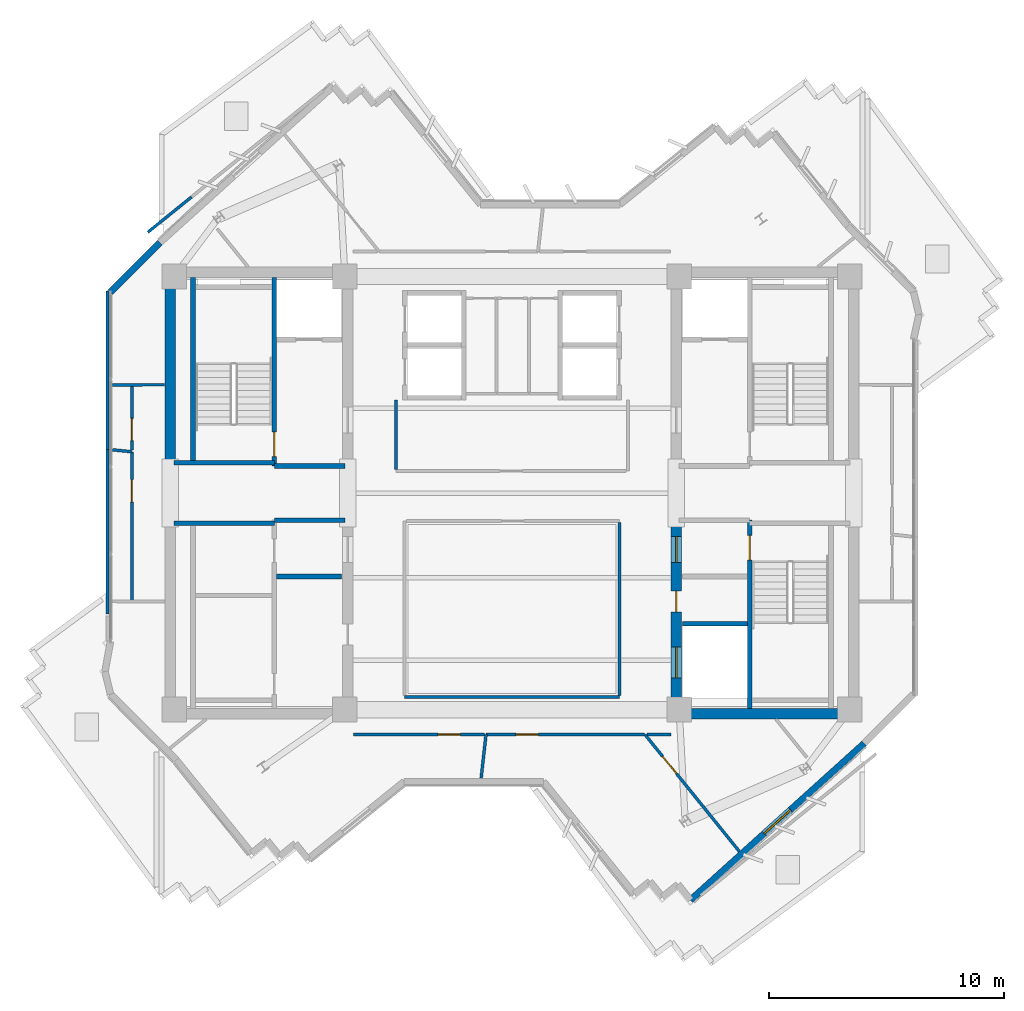
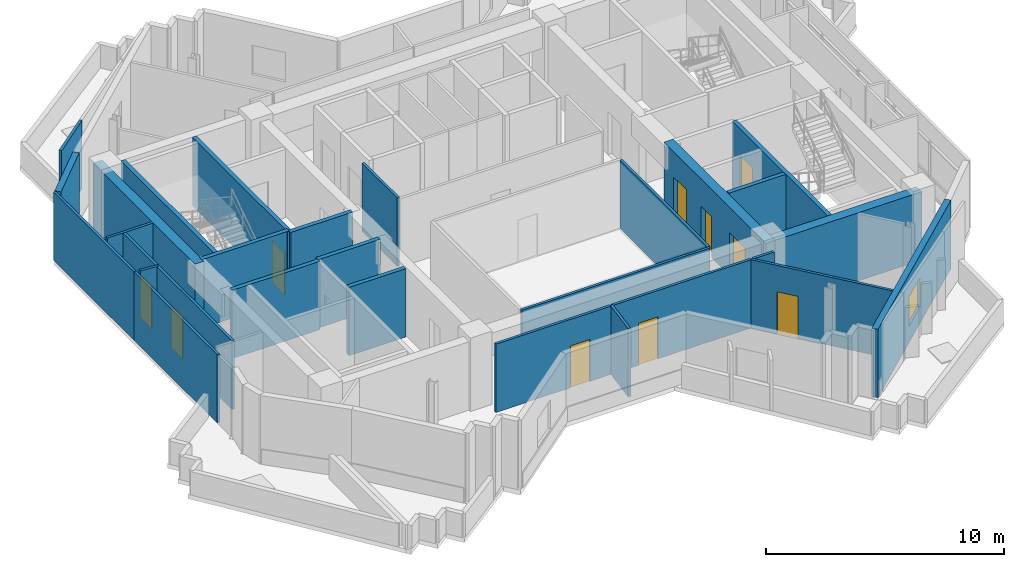
# One storey, part 7 of 12: 29 walls, 10 doors, 1 window, 11 openings.
"""IFC4 building model written with IfcOpenShell, lengths in metres."""

from ifc_helpers import new_model, si_unit, direction, frame, frame_2d, origin, place, context, subcontext, project, spatial, rectangle, extrude, source, transform, mapped, material, layer, layer_set, type_object, element, fill, save


model = new_model("IFC4")

# Units and contexts
model_context = context("Model", 3, precision=1e-05, world=origin(), true_north=direction((0.0, 1.0)))
body_context = subcontext(model_context, "Body", "Model", "MODEL_VIEW")
ifc_project = project(units=[si_unit("LENGTHUNIT", "METRE"), si_unit("AREAUNIT", "SQUARE_METRE"), si_unit("VOLUMEUNIT", "CUBIC_METRE"), si_unit("PLANEANGLEUNIT", "RADIAN"), si_unit("MASSUNIT", "GRAM", prefix="KILO")], contexts=[model_context])

# Site, building, storey
site_placement = place(None, origin())
site = spatial("IfcSite", under=ifc_project, at=site_placement, CompositionType="ELEMENT")
building_placement = place(site_placement, origin())
building = spatial("IfcBuilding", under=site, at=building_placement, Name="Zahravan Cultural Tower", CompositionType="ELEMENT")
storey_placement = place(building_placement, frame((0.0, 0.0, 280.35009765625)))
storey = spatial("IfcBuildingStorey", under=building, at=storey_placement, Name="L67", CompositionType="ELEMENT", Elevation=280.35009765625)

# Wall, openings, doors
ifc_material_1 = material(Name="Concrete C50/60", Category="concrete")
ifc_layer_1 = layer(ifc_material_1, 0.449951171875)
ifc_layer_set_1 = layer_set([ifc_layer_1], Name="Concrete C50/60")
wall_type_1 = type_object("IfcWallType", Name="CW-SHEAR-450-C50", PredefinedType="SHEAR", material=ifc_layer_set_1)
wall_1_placement = place(storey_placement, frame((42.97509765625, 17.39990234375, 0.0), z_axis=(0.0, 0.0, 1.0), x_axis=(0.0, 1.0, 0.0)))
wall_1 = element("IfcWall", 1, at=wall_1_placement, inside=storey, type_object=wall_type_1, Name="L67 Core Shear Wall CW-E-WS-L67", PredefinedType="SHEAR", context=body_context, shape_type="SweptSolid", body=[
    extrude(rectangle(XDim=8.550048828125, YDim=0.449951171875, at=frame_2d((4.27490234375, 0.0))), origin(), (0.0, 0.0, 1.0), 3.5),
])
opening_1_placement = place(wall_1_placement, frame((6.64990234375, 0.0, 0.0)))
opening_1 = element("IfcOpeningElement", 2, at=opening_1_placement, cuts=wall_1, Name="Opening D-L67-09", PredefinedType="OPENING", context=body_context, shape_type="SweptSolid", body=[
    extrude(rectangle(XDim=1.10009765625, YDim=2.199951171875, at=frame_2d((0.550048828125, 1.10009765625))), frame((0.0, 0.23486328125, 0.0), z_axis=(0.0, -1.0, 0.0), x_axis=(1.0, 0.0, 0.0)), (0.0, 0.0, 1.0), 0.469970703125),
])
opening_2_placement = place(wall_1_placement, frame((1.75, 0.0, 0.0)))
opening_2 = element("IfcOpeningElement", 3, at=opening_2_placement, cuts=wall_1, Name="Opening LD-L67-03", PredefinedType="OPENING", context=body_context, shape_type="SweptSolid", body=[
    extrude(rectangle(XDim=1.300048828125, YDim=2.199951171875, at=frame_2d((0.64990234375, 1.10009765625))), frame((0.0, 0.23486328125, 0.0), z_axis=(0.0, -1.0, 0.0), x_axis=(1.0, 0.0, 0.0)), (0.0, 0.0, 1.0), 0.469970703125),
])
opening_3_placement = place(wall_1_placement, frame((4.550048828125, 0.0, 0.0)))
opening_3 = element("IfcOpeningElement", 4, at=opening_3_placement, cuts=wall_1, Name="Opening D-L67-11", PredefinedType="OPENING", context=body_context, shape_type="SweptSolid", body=[
    extrude(rectangle(XDim=0.8798828125, YDim=2.10009765625, at=frame_2d((0.43994140625, 1.050048828125))), frame((0.0, 0.23486328125, 0.0), z_axis=(0.0, -1.0, 0.0), x_axis=(1.0, 0.0, 0.0)), (0.0, 0.0, 1.0), 0.469970703125),
])
ifc_material_2 = material(Name="Steel ASTM A572 Grade 50", Category="steel")
door_type_1 = type_object("IfcDoorType", Name="DR-LOBBY-1100", OperationType="NOTDEFINED", PredefinedType="DOOR", material=ifc_material_2)
shared_shape_1 = source(origin(), body_context, "Body", "SweptSolid", [
    extrude(rectangle(XDim=1.10009765625, YDim=2.199951171875, at=frame_2d((0.550048828125, 1.10009765625))), frame((0.0, 0.02490234375, 0.0), z_axis=(0.0, -1.0, 0.0), x_axis=(1.0, 0.0, 0.0)), (0.0, 0.0, 1.0), 0.050048828125),
])
door_1_placement = place(opening_1_placement, origin())
door_1 = element("IfcDoor", 5, at=door_1_placement, inside=storey, type_object=door_type_1, Name="L67 Door D-L67-09", OperationType="SINGLE_SWING_RIGHT", OverallHeight=2.199951171875, OverallWidth=1.10009765625, PredefinedType="DOOR", context=body_context, shape_type="MappedRepresentation", body=[
    mapped(shared_shape_1, transform((0.0, 0.0, 0.0), x_axis=(1.0, 0.0, 0.0), y_axis=(0.0, 1.0, 0.0), z_axis=(0.0, 0.0, 1.0), scale=1.0)),
])
fill(opening_1, door_1)
door_type_2 = type_object("IfcDoorType", Name="DR-LIFT-1300", OperationType="DOUBLE_DOOR_SLIDING", PredefinedType="DOOR", material=ifc_material_2)
shared_shape_2 = source(origin(), body_context, "Body", "SweptSolid", [
    extrude(rectangle(XDim=1.300048828125, YDim=2.199951171875, at=frame_2d((0.64990234375, 1.10009765625))), frame((0.0, 0.02490234375, 0.0), z_axis=(0.0, -1.0, 0.0), x_axis=(1.0, 0.0, 0.0)), (0.0, 0.0, 1.0), 0.050048828125),
])
door_2_placement = place(opening_2_placement, origin())
door_2 = element("IfcDoor", 6, at=door_2_placement, inside=storey, type_object=door_type_2, Name="L67 Door LD-L67-03", OperationType="DOUBLE_DOOR_SLIDING", OverallHeight=2.199951171875, OverallWidth=1.300048828125, PredefinedType="DOOR", context=body_context, shape_type="MappedRepresentation", body=[
    mapped(shared_shape_2, transform((0.0, 0.0, 0.0), x_axis=(1.0, 0.0, 0.0), y_axis=(0.0, 1.0, 0.0), z_axis=(0.0, 0.0, 1.0), scale=1.0)),
])
fill(opening_2, door_2)
door_type_3 = type_object("IfcDoorType", Name="DR-SVC-880", OperationType="NOTDEFINED", PredefinedType="DOOR", material=ifc_material_2)
shared_shape_3 = source(origin(), body_context, "Body", "SweptSolid", [
    extrude(rectangle(XDim=0.8798828125, YDim=2.10009765625, at=frame_2d((0.43994140625, 1.050048828125))), frame((0.0, 0.02490234375, 0.0), z_axis=(0.0, -1.0, 0.0), x_axis=(1.0, 0.0, 0.0)), (0.0, 0.0, 1.0), 0.050048828125),
])
door_3_placement = place(opening_3_placement, origin())
door_3 = element("IfcDoor", 7, at=door_3_placement, inside=storey, type_object=door_type_3, Name="L67 Door D-L67-11", OperationType="SINGLE_SWING_RIGHT", OverallHeight=2.10009765625, OverallWidth=0.8798828125, PredefinedType="DOOR", context=body_context, shape_type="MappedRepresentation", body=[
    mapped(shared_shape_3, transform((0.0, 0.0, 0.0), x_axis=(1.0, 0.0, 0.0), y_axis=(0.0, 1.0, 0.0), z_axis=(0.0, 0.0, 1.0), scale=1.0)),
])
fill(opening_3, door_3)

# Wall, opening, window
ifc_material_3 = material(Name="Precast concrete C40/50", Category="concrete")
ifc_layer_2 = layer(ifc_material_3, 0.280029296875)
ifc_layer_set_2 = layer_set([ifc_layer_2], Name="Precast concrete C40/50")
wall_type_2 = type_object("IfcWallType", Name="EW-TC-280", PredefinedType="SOLIDWALL", material=ifc_layer_set_2)
wall_2_placement = place(storey_placement, frame((50.9638671875, 16.36181640625, 0.0), z_axis=(0.0, 0.0, 1.0), x_axis=(-0.742587457262, -0.669749108486, 0.0)))
wall_2 = element("IfcWall", 8, at=wall_2_placement, inside=storey, type_object=wall_type_2, Name="L67 Exterior Masonry Frame Wall 19", PredefinedType="SOLIDWALL", context=body_context, shape_type="SweptSolid", body=[
    extrude(rectangle(XDim=9.934814453125, YDim=0.280029296875, at=frame_2d((4.96728515625, 0.0))), origin(), (0.0, 0.0, 1.0), 3.5),
])
opening_4_placement = place(wall_2_placement, frame((4.217041015625, 0.0, 0.85009765625)))
opening_4 = element("IfcOpeningElement", 9, at=opening_4_placement, cuts=wall_2, Name="Opening WN-03", PredefinedType="OPENING", context=body_context, shape_type="SweptSolid", body=[
    extrude(rectangle(XDim=1.5, YDim=1.5, at=frame_2d((0.75, 0.75))), frame((0.0, 0.14990234375, 0.0), z_axis=(0.0, -1.0, 0.0), x_axis=(1.0, 0.0, 0.0)), (0.0, 0.0, 1.0), 0.300048828125),
])
ifc_material_4 = material(Name="Low-E solar-control double glazing", Category="glass")
window_type = type_object("IfcWindowType", Name="WN-REC-1500X1500", PartitioningType="SINGLE_PANEL", PredefinedType="WINDOW", material=ifc_material_4)
shared_shape_4 = source(origin(), body_context, "Body", "SweptSolid", [
    extrude(rectangle(XDim=1.5, YDim=1.5, at=frame_2d((0.75, 0.75))), frame((0.0, 0.030029296875, 0.0), z_axis=(0.0, -1.0, 0.0), x_axis=(1.0, 0.0, 0.0)), (0.0, 0.0, 1.0), 0.06005859375),
])
window_placement = place(opening_4_placement, origin())
window = element("IfcWindow", 10, at=window_placement, inside=storey, type_object=window_type, Name="L67 Recessed Solar Window 06", OverallHeight=1.5, OverallWidth=1.5, PartitioningType="SINGLE_PANEL", PredefinedType="WINDOW", context=body_context, shape_type="MappedRepresentation", body=[
    mapped(shared_shape_4, transform((0.0, 0.0, 0.0), x_axis=(1.0, 0.0, 0.0), y_axis=(0.0, 1.0, 0.0), z_axis=(0.0, 0.0, 1.0), scale=1.0)),
])
fill(opening_4, window)

# Wall, opening, door
ifc_material_5 = material(Name="Gypsum plasterboard partition")
ifc_layer_3 = layer(ifc_material_5, 0.125)
ifc_layer_set_3 = layer_set([ifc_layer_3], Name="Gypsum plasterboard partition")
wall_type_3 = type_object("IfcWallType", Name="W-PART-125", PredefinedType="PARTITIONING", material=ifc_layer_set_3)
wall_3_placement = place(storey_placement, frame((19.85009765625, 28.753662109375, 0.0), z_axis=(0.0, 0.0, 1.0), x_axis=(0.000153721992, -0.999999988185, 0.0)))
wall_3 = element("IfcWall", 11, at=wall_3_placement, inside=storey, type_object=wall_type_3, Name="L67 Interior Wall 049", PredefinedType="PARTITIONING", context=body_context, shape_type="SweptSolid", body=[
    extrude(rectangle(XDim=6.352783203125, YDim=0.125, at=frame_2d((3.17626953125, 0.0))), origin(), (0.0, 0.0, 1.0), 3.5),
])
opening_5_placement = place(wall_3_placement, frame((1.188720703125, 0.0, 0.0)))
opening_5 = element("IfcOpeningElement", 12, at=opening_5_placement, cuts=wall_3, Name="Opening D-L67-21", PredefinedType="OPENING", context=body_context, shape_type="SweptSolid", body=[
    extrude(rectangle(XDim=0.949951171875, YDim=2.14990234375, at=frame_2d((0.47509765625, 1.074951171875))), frame((0.0, 0.072509765625, 0.0), z_axis=(0.0, -1.0, 0.0), x_axis=(1.0, 0.0, 0.0)), (0.0, 0.0, 1.0), 0.14501953125),
])
ifc_material_6 = material(Name="Anodised bronze-aluminium mullion", Category="aluminium")
door_type_4 = type_object("IfcDoorType", Name="DR-ROOM-950", OperationType="NOTDEFINED", PredefinedType="DOOR", material=ifc_material_6)
shared_shape_5 = source(origin(), body_context, "Body", "SweptSolid", [
    extrude(rectangle(XDim=0.949951171875, YDim=2.14990234375, at=frame_2d((0.47509765625, 1.074951171875))), frame((0.0, 0.02490234375, 0.0), z_axis=(0.0, -1.0, 0.0), x_axis=(1.0, 0.0, 0.0)), (0.0, 0.0, 1.0), 0.050048828125),
])
door_4_placement = place(opening_5_placement, origin())
door_4 = element("IfcDoor", 13, at=door_4_placement, inside=storey, type_object=door_type_4, Name="L67 Door D-L67-21", OperationType="SINGLE_SWING_RIGHT", OverallHeight=2.14990234375, OverallWidth=0.949951171875, PredefinedType="DOOR", context=body_context, shape_type="MappedRepresentation", body=[
    mapped(shared_shape_5, transform((0.0, 0.0, 0.0), x_axis=(1.0, 0.0, 0.0), y_axis=(0.0, 1.0, 0.0), z_axis=(0.0, 0.0, 1.0), scale=1.0)),
])
fill(opening_5, door_4)

wall_4_placement = place(storey_placement, frame((19.853515625, 31.599609375, 0.0), z_axis=(0.0, 0.0, 1.0), x_axis=(-0.00123022754, -0.99999924327, 0.0)))
wall_4 = element("IfcWall", 14, at=wall_4_placement, inside=storey, type_object=wall_type_3, Name="L67 Interior Wall 066", PredefinedType="PARTITIONING", context=body_context, shape_type="SweptSolid", body=[
    extrude(rectangle(XDim=2.7783203125, YDim=0.125, at=frame_2d((1.38916015625, 0.0))), origin(), (0.0, 0.0, 1.0), 3.5),
])
opening_6_placement = place(wall_4_placement, frame((1.42578125, 0.0, 0.0)))
opening_6 = element("IfcOpeningElement", 15, at=opening_6_placement, cuts=wall_4, Name="Opening D-L67-20", PredefinedType="OPENING", context=body_context, shape_type="SweptSolid", body=[
    extrude(rectangle(XDim=0.949951171875, YDim=2.14990234375, at=frame_2d((0.47509765625, 1.074951171875))), frame((0.0, 0.072509765625, 0.0), z_axis=(0.0, -1.0, 0.0), x_axis=(1.0, 0.0, 0.0)), (0.0, 0.0, 1.0), 0.14501953125),
])
door_5_placement = place(opening_6_placement, origin())
door_5 = element("IfcDoor", 16, at=door_5_placement, inside=storey, type_object=door_type_4, Name="L67 Door D-L67-20", OperationType="SINGLE_SWING_LEFT", OverallHeight=2.14990234375, OverallWidth=0.949951171875, PredefinedType="DOOR", context=body_context, shape_type="MappedRepresentation", body=[
    mapped(shared_shape_5, transform((0.0, 0.0, 0.0), x_axis=(1.0, 0.0, 0.0), y_axis=(0.0, 1.0, 0.0), z_axis=(0.0, 0.0, 1.0), scale=1.0)),
])
fill(opening_6, door_5)

wall_5_placement = place(storey_placement, frame((45.659423828125, 11.772705078125, 0.0), z_axis=(0.0, 0.0, 1.0), x_axis=(-0.628191114615, 0.778059074569, 0.0)))
wall_5 = element("IfcWall", 17, at=wall_5_placement, inside=storey, type_object=wall_type_3, Name="L67 Interior Wall 075", PredefinedType="PARTITIONING", context=body_context, shape_type="SweptSolid", body=[
    extrude(rectangle(XDim=6.38427734375, YDim=0.125, at=frame_2d((3.192138671875, 0.0))), origin(), (0.0, 0.0, 1.0), 3.5),
])
opening_7_placement = place(wall_5_placement, frame((4.238525390625, 0.0, 0.0)))
opening_7 = element("IfcOpeningElement", 18, at=opening_7_placement, cuts=wall_5, Name="Opening D-L67-26", PredefinedType="OPENING", context=body_context, shape_type="SweptSolid", body=[
    extrude(rectangle(XDim=0.949951171875, YDim=2.14990234375, at=frame_2d((0.47509765625, 1.074951171875))), frame((0.0, 0.072509765625, 0.0), z_axis=(0.0, -1.0, 0.0), x_axis=(1.0, 0.0, 0.0)), (0.0, 0.0, 1.0), 0.14501953125),
])
door_6_placement = place(opening_7_placement, origin())
door_6 = element("IfcDoor", 19, at=door_6_placement, inside=storey, type_object=door_type_4, Name="L67 Door D-L67-26", OperationType="SINGLE_SWING_LEFT", OverallHeight=2.14990234375, OverallWidth=0.949951171875, PredefinedType="DOOR", context=body_context, shape_type="MappedRepresentation", body=[
    mapped(shared_shape_5, transform((0.0, 0.0, 0.0), x_axis=(1.0, 0.0, 0.0), y_axis=(0.0, 1.0, 0.0), z_axis=(0.0, 0.0, 1.0), scale=1.0)),
])
fill(opening_7, door_6)

wall_6_placement = place(storey_placement, frame((34.896240234375, 16.739990234375, 0.0), z_axis=(0.0, 0.0, 1.0), x_axis=(1.0, 0.0, 0.0)))
wall_6 = element("IfcWall", 20, at=wall_6_placement, inside=storey, type_object=wall_type_3, Name="L67 Interior Wall 083", PredefinedType="PARTITIONING", context=body_context, shape_type="SweptSolid", body=[
    extrude(rectangle(XDim=6.72705078125, YDim=0.125, at=frame_2d((3.363525390625, 0.0))), origin(), (0.0, 0.0, 1.0), 3.5),
])
opening_8_placement = place(wall_6_placement, frame((1.27099609375, 0.0, 0.0)))
opening_8 = element("IfcOpeningElement", 21, at=opening_8_placement, cuts=wall_6, Name="Opening D-L67-23", PredefinedType="OPENING", context=body_context, shape_type="SweptSolid", body=[
    extrude(rectangle(XDim=0.949951171875, YDim=2.14990234375, at=frame_2d((0.47509765625, 1.074951171875))), frame((0.0, 0.072509765625, 0.0), z_axis=(0.0, -1.0, 0.0), x_axis=(1.0, 0.0, 0.0)), (0.0, 0.0, 1.0), 0.14501953125),
])
door_7_placement = place(opening_8_placement, origin())
door_7 = element("IfcDoor", 22, at=door_7_placement, inside=storey, type_object=door_type_4, Name="L67 Door D-L67-23", OperationType="SINGLE_SWING_RIGHT", OverallHeight=2.14990234375, OverallWidth=0.949951171875, PredefinedType="DOOR", context=body_context, shape_type="MappedRepresentation", body=[
    mapped(shared_shape_5, transform((0.0, 0.0, 0.0), x_axis=(1.0, 0.0, 0.0), y_axis=(0.0, 1.0, 0.0), z_axis=(0.0, 0.0, 1.0), scale=1.0)),
])
fill(opening_8, door_7)

wall_7_placement = place(storey_placement, frame((29.257568359375, 16.740234375, 0.0), z_axis=(0.0, 0.0, 1.0), x_axis=(0.99999999904, -4.382505e-05, 0.0)))
wall_7 = element("IfcWall", 23, at=wall_7_placement, inside=storey, type_object=wall_type_3, Name="L67 Interior Wall 087", PredefinedType="PARTITIONING", context=body_context, shape_type="SweptSolid", body=[
    extrude(rectangle(XDim=5.57080078125, YDim=0.125, at=frame_2d((2.785400390625, 0.0))), origin(), (0.0, 0.0, 1.0), 3.5),
])
opening_9_placement = place(wall_7_placement, frame((3.604248046875, 0.0, 0.0)))
opening_9 = element("IfcOpeningElement", 24, at=opening_9_placement, cuts=wall_7, Name="Opening D-L67-22", PredefinedType="OPENING", context=body_context, shape_type="SweptSolid", body=[
    extrude(rectangle(XDim=0.949951171875, YDim=2.14990234375, at=frame_2d((0.47509765625, 1.074951171875))), frame((0.0, 0.072509765625, 0.0), z_axis=(0.0, -1.0, 0.0), x_axis=(1.0, 0.0, 0.0)), (0.0, 0.0, 1.0), 0.14501953125),
])
door_8_placement = place(opening_9_placement, origin())
door_8 = element("IfcDoor", 25, at=door_8_placement, inside=storey, type_object=door_type_4, Name="L67 Door D-L67-22", OperationType="SINGLE_SWING_LEFT", OverallHeight=2.14990234375, OverallWidth=0.949951171875, PredefinedType="DOOR", context=body_context, shape_type="MappedRepresentation", body=[
    mapped(shared_shape_5, transform((0.0, 0.0, 0.0), x_axis=(1.0, 0.0, 0.0), y_axis=(0.0, 1.0, 0.0), z_axis=(0.0, 0.0, 1.0), scale=1.0)),
])
fill(opening_9, door_8)

ifc_material_7 = material(Name="Concrete C45/55", Category="concrete")
ifc_layer_4 = layer(ifc_material_7, 0.199951171875)
ifc_layer_set_4 = layer_set([ifc_layer_4], Name="Concrete C45/55")
wall_type_4 = type_object("IfcWallType", Name="W-SHAFT-200", PredefinedType="SOLIDWALL", material=ifc_layer_set_4)
wall_8_placement = place(storey_placement, frame((25.89990234375, 28.14990234375, 0.0), z_axis=(0.0, 0.0, 1.0), x_axis=(0.0, 1.0, 0.0)))
wall_8 = element("IfcWall", 26, at=wall_8_placement, inside=storey, type_object=wall_type_4, Name="L67 Interior Wall 006", PredefinedType="SOLIDWALL", context=body_context, shape_type="SweptSolid", body=[
    extrude(rectangle(XDim=8.0, YDim=0.199951171875, at=frame_2d((4.0, 0.0))), origin(), (0.0, 0.0, 1.0), 3.5),
])
opening_10_placement = place(wall_8_placement, frame((0.39990234375, 0.0, 0.0)))
opening_10 = element("IfcOpeningElement", 27, at=opening_10_placement, cuts=wall_8, Name="Opening D-L67-01", PredefinedType="OPENING", context=body_context, shape_type="SweptSolid", body=[
    extrude(rectangle(XDim=1.050048828125, YDim=2.14990234375, at=frame_2d((0.52490234375, 1.074951171875))), frame((0.0, 0.10986328125, 0.0), z_axis=(0.0, -1.0, 0.0), x_axis=(1.0, 0.0, 0.0)), (0.0, 0.0, 1.0), 0.219970703125),
])
door_type_5 = type_object("IfcDoorType", Name="DR-STAIR-1050", OperationType="NOTDEFINED", PredefinedType="DOOR", material=ifc_material_2)
shared_shape_6 = source(origin(), body_context, "Body", "SweptSolid", [
    extrude(rectangle(XDim=1.050048828125, YDim=2.14990234375, at=frame_2d((0.52490234375, 1.074951171875))), frame((0.0, 0.02490234375, 0.0), z_axis=(0.0, -1.0, 0.0), x_axis=(1.0, 0.0, 0.0)), (0.0, 0.0, 1.0), 0.050048828125),
])
door_9_placement = place(opening_10_placement, origin())
door_9 = element("IfcDoor", 28, at=door_9_placement, inside=storey, type_object=door_type_5, Name="L67 Door D-L67-01", OperationType="SINGLE_SWING_RIGHT", OverallHeight=2.14990234375, OverallWidth=1.050048828125, PredefinedType="DOOR", context=body_context, shape_type="MappedRepresentation", body=[
    mapped(shared_shape_6, transform((0.0, 0.0, 0.0), x_axis=(1.0, 0.0, 0.0), y_axis=(0.0, 1.0, 0.0), z_axis=(0.0, 0.0, 1.0), scale=1.0)),
])
fill(opening_10, door_9)

wall_9_placement = place(storey_placement, frame((46.10009765625, 17.85009765625, 0.0), z_axis=(0.0, 0.0, 1.0), x_axis=(0.0, 1.0, 0.0)))
wall_9 = element("IfcWall", 29, at=wall_9_placement, inside=storey, type_object=wall_type_4, Name="L67 Interior Wall 007", PredefinedType="SOLIDWALL", context=body_context, shape_type="SweptSolid", body=[
    extrude(rectangle(XDim=8.0, YDim=0.199951171875, at=frame_2d((4.0, 0.0))), origin(), (0.0, 0.0, 1.0), 3.5),
])
opening_11_placement = place(wall_9_placement, frame((6.300048828125, 0.0, 0.0)))
opening_11 = element("IfcOpeningElement", 30, at=opening_11_placement, cuts=wall_9, Name="Opening D-L67-03", PredefinedType="OPENING", context=body_context, shape_type="SweptSolid", body=[
    extrude(rectangle(XDim=1.050048828125, YDim=2.14990234375, at=frame_2d((0.52490234375, 1.074951171875))), frame((0.0, 0.10986328125, 0.0), z_axis=(0.0, -1.0, 0.0), x_axis=(1.0, 0.0, 0.0)), (0.0, 0.0, 1.0), 0.219970703125),
])
door_10_placement = place(opening_11_placement, origin())
door_10 = element("IfcDoor", 31, at=door_10_placement, inside=storey, type_object=door_type_5, Name="L67 Door D-L67-03", OperationType="SINGLE_SWING_RIGHT", OverallHeight=2.14990234375, OverallWidth=1.050048828125, PredefinedType="DOOR", context=body_context, shape_type="MappedRepresentation", body=[
    mapped(shared_shape_6, transform((0.0, 0.0, 0.0), x_axis=(1.0, 0.0, 0.0), y_axis=(0.0, 1.0, 0.0), z_axis=(0.0, 0.0, 1.0), scale=1.0)),
])
fill(opening_11, door_10)

# Walls
shared_shape_7 = source(origin(), body_context, "Body", "SweptSolid", [
    extrude(rectangle(XDim=8.550048828125, YDim=0.449951171875, at=frame_2d((4.27490234375, 0.0))), origin(), (0.0, 0.0, 1.0), 3.5),
])
wall_10_placement = place(storey_placement, frame((21.47509765625, 28.050048828125, 0.0), z_axis=(0.0, 0.0, 1.0), x_axis=(0.0, 1.0, 0.0)))
element("IfcWall", 32, at=wall_10_placement, inside=storey, type_object=wall_type_1, Name="L67 Core Shear Wall CW-W-WN-L67", PredefinedType="SHEAR", context=body_context, shape_type="MappedRepresentation", body=[
    mapped(shared_shape_7, transform((0.0, 0.0, 0.0), x_axis=(1.0, 0.0, 0.0), y_axis=(0.0, 1.0, 0.0), z_axis=(0.0, 0.0, 1.0), scale=1.0)),
])
shared_shape_8 = source(origin(), body_context, "Body", "SweptSolid", [
    extrude(rectangle(XDim=7.10009765625, YDim=0.449951171875, at=frame_2d((3.550048828125, 0.0))), origin(), (0.0, 0.0, 1.0), 3.5),
])
wall_11_placement = place(storey_placement, frame((43.199951171875, 17.625, 0.0), z_axis=(0.0, 0.0, 1.0), x_axis=(1.0, 0.0, 0.0)))
element("IfcWall", 33, at=wall_11_placement, inside=storey, type_object=wall_type_1, Name="L67 Core Shear Wall CW-E-S-L67", PredefinedType="SHEAR", context=body_context, shape_type="MappedRepresentation", body=[
    mapped(shared_shape_8, transform((0.0, 0.0, 0.0), x_axis=(1.0, 0.0, 0.0), y_axis=(0.0, 1.0, 0.0), z_axis=(0.0, 0.0, 1.0), scale=1.0)),
])
shared_shape_9 = source(origin(), body_context, "Body", "SweptSolid", [
    extrude(rectangle(XDim=2.96435546875, YDim=0.280029296875, at=frame_2d((1.482177734375, 0.0))), origin(), (0.0, 0.0, 1.0), 3.5),
])
wall_12_placement = place(storey_placement, frame((18.93994140625, 35.5419921875, 0.0), z_axis=(0.0, 0.0, 1.0), x_axis=(0.707106781187, 0.707106781187, 0.0)))
element("IfcWall", 34, at=wall_12_placement, inside=storey, type_object=wall_type_2, Name="L67 Exterior Masonry Frame Wall 01", PredefinedType="SOLIDWALL", context=body_context, shape_type="MappedRepresentation", body=[
    mapped(shared_shape_9, transform((0.0, 0.0, 0.0), x_axis=(1.0, 0.0, 0.0), y_axis=(0.0, 1.0, 0.0), z_axis=(0.0, 0.0, 1.0), scale=1.0)),
])
shared_shape_10 = source(origin(), body_context, "Body", "SweptSolid", [
    extrude(rectangle(XDim=7.869873046875, YDim=0.199951171875, at=frame_2d((3.93505859375, 0.0))), origin(), (0.0, 0.0, 1.0), 3.5),
])
wall_13_placement = place(storey_placement, frame((22.449951171875, 28.280029296875, 0.0), z_axis=(0.0, 0.0, 1.0), x_axis=(0.0, 1.0, 0.0)))
element("IfcWall", 35, at=wall_13_placement, inside=storey, type_object=wall_type_4, Name="L67 Interior Wall 002", PredefinedType="SOLIDWALL", context=body_context, shape_type="MappedRepresentation", body=[
    mapped(shared_shape_10, transform((0.0, 0.0, 0.0), x_axis=(1.0, 0.0, 0.0), y_axis=(0.0, 1.0, 0.0), z_axis=(0.0, 0.0, 1.0), scale=1.0)),
])
shared_shape_11 = source(origin(), body_context, "Body", "SweptSolid", [
    extrude(rectangle(XDim=4.25, YDim=0.199951171875, at=frame_2d((2.125, 0.0))), origin(), (0.0, 0.0, 1.0), 3.5),
])
for number, where, z_axis, x_axis, name in (
    (36, (21.64990234375, 25.715087890625, 0.0), (0.0, 0.0, 1.0), (1.0, 0.0, 0.0), "L67 Interior Wall 009"),
    (37, (21.64990234375, 28.284912109375, 0.0), (0.0, 0.0, 1.0), (1.0, 0.0, 0.0), "L67 Interior Wall 011"),
):
    element("IfcWall", number, at=place(storey_placement, frame(where, z_axis=z_axis, x_axis=x_axis)), inside=storey, type_object=wall_type_4, Name=name, PredefinedType="SOLIDWALL", context=body_context, shape_type="MappedRepresentation", body=[
        mapped(shared_shape_11, transform((0.0, 0.0, 0.0), x_axis=(1.0, 0.0, 0.0), y_axis=(0.0, 1.0, 0.0), z_axis=(0.0, 0.0, 1.0), scale=1.0)),
    ])
shared_shape_12 = source(origin(), body_context, "Body", "SweptSolid", [
    extrude(rectangle(XDim=3.0, YDim=0.199951171875, at=frame_2d((1.5, 0.0))), origin(), (0.0, 0.0, 1.0), 3.5),
])
for number, where, z_axis, x_axis, name in (
    (38, (25.89990234375, 25.85009765625, 0.0), (0.0, 0.0, 1.0), (1.0, 0.0, 0.0), "L67 Interior Wall 010"),
    (39, (25.89990234375, 28.14990234375, 0.0), (0.0, 0.0, 1.0), (1.0, 0.0, 0.0), "L67 Interior Wall 012"),
):
    element("IfcWall", number, at=place(storey_placement, frame(where, z_axis=z_axis, x_axis=x_axis)), inside=storey, type_object=wall_type_4, Name=name, PredefinedType="SOLIDWALL", context=body_context, shape_type="MappedRepresentation", body=[
        mapped(shared_shape_12, transform((0.0, 0.0, 0.0), x_axis=(1.0, 0.0, 0.0), y_axis=(0.0, 1.0, 0.0), z_axis=(0.0, 0.0, 1.0), scale=1.0)),
    ])
shared_shape_13 = source(origin(), body_context, "Body", "SweptSolid", [
    extrude(rectangle(XDim=2.75, YDim=0.199951171875, at=frame_2d((1.375, 0.0))), origin(), (0.0, 0.0, 1.0), 3.5),
])
for number, where, z_axis, x_axis, name in (
    (40, (26.0, 23.449951171875, 0.0), (0.0, 0.0, 1.0), (1.0, 0.0, 0.0), "L67 Interior Wall 024"),
    (41, (43.25, 21.449951171875, 0.0), (0.0, 0.0, 1.0), (1.0, 0.0, 0.0), "L67 Interior Wall 026"),
):
    element("IfcWall", number, at=place(storey_placement, frame(where, z_axis=z_axis, x_axis=x_axis)), inside=storey, type_object=wall_type_4, Name=name, PredefinedType="SOLIDWALL", context=body_context, shape_type="MappedRepresentation", body=[
        mapped(shared_shape_13, transform((0.0, 0.0, 0.0), x_axis=(1.0, 0.0, 0.0), y_axis=(0.0, 1.0, 0.0), z_axis=(0.0, 0.0, 1.0), scale=1.0)),
    ])
shared_shape_14 = source(origin(), body_context, "Body", "SweptSolid", [
    extrude(rectangle(XDim=2.9423828125, YDim=0.125, at=frame_2d((1.47119140625, 0.0))), origin(), (0.0, 0.0, 1.0), 3.5),
])
wall_14_placement = place(storey_placement, frame((31.080078125, 28.007568359375, 0.0), z_axis=(0.0, 0.0, 1.0), x_axis=(0.0, 1.0, 0.0)))
element("IfcWall", 42, at=wall_14_placement, inside=storey, type_object=wall_type_3, Name="L67 Interior Wall 079", PredefinedType="PARTITIONING", context=body_context, shape_type="MappedRepresentation", body=[
    mapped(shared_shape_14, transform((0.0, 0.0, 0.0), x_axis=(1.0, 0.0, 0.0), y_axis=(0.0, 1.0, 0.0), z_axis=(0.0, 0.0, 1.0), scale=1.0)),
])
shared_shape_15 = source(origin(), body_context, "Body", "SweptSolid", [
    extrude(rectangle(XDim=2.389892578125, YDim=0.125, at=frame_2d((1.19482421875, 0.0))), origin(), (0.0, 0.0, 1.0), 3.5),
])
wall_15_placement = place(storey_placement, frame((20.526611328125, 38.078369140625, 0.0), z_axis=(0.0, 0.0, 1.0), x_axis=(0.778010315123, 0.628251501839, 0.0)))
element("IfcWall", 43, at=wall_15_placement, inside=storey, type_object=wall_type_3, Name="L67 Interior Wall 068", PredefinedType="PARTITIONING", context=body_context, shape_type="MappedRepresentation", body=[
    mapped(shared_shape_15, transform((0.0, 0.0, 0.0), x_axis=(1.0, 0.0, 0.0), y_axis=(0.0, 1.0, 0.0), z_axis=(0.0, 0.0, 1.0), scale=1.0)),
])
shared_shape_16 = source(origin(), body_context, "Body", "SweptSolid", [
    extrude(rectangle(XDim=7.3349609375, YDim=0.125, at=frame_2d((3.66748046875, 0.0))), origin(), (0.0, 0.0, 1.0), 3.5),
])
wall_16_placement = place(storey_placement, frame((40.56005859375, 25.742431640625, 0.0), z_axis=(0.0, 0.0, 1.0), x_axis=(0.0, -1.0, 0.0)))
element("IfcWall", 44, at=wall_16_placement, inside=storey, type_object=wall_type_3, Name="L67 Interior Wall 091", PredefinedType="PARTITIONING", context=body_context, shape_type="MappedRepresentation", body=[
    mapped(shared_shape_16, transform((0.0, 0.0, 0.0), x_axis=(1.0, 0.0, 0.0), y_axis=(0.0, 1.0, 0.0), z_axis=(0.0, 0.0, 1.0), scale=1.0)),
])
shared_shape_17 = source(origin(), body_context, "Body", "SweptSolid", [
    extrude(rectangle(XDim=2.215087890625, YDim=0.125, at=frame_2d((1.107421875, 0.0))), origin(), (0.0, 0.0, 1.0), 3.5),
])
wall_17_placement = place(storey_placement, frame((21.2451171875, 31.60009765625, 0.0), z_axis=(0.0, 0.0, 1.0), x_axis=(-0.999999902817, -0.000440868468, 0.0)))
element("IfcWall", 45, at=wall_17_placement, inside=storey, type_object=wall_type_3, Name="L67 Interior Wall 070", PredefinedType="PARTITIONING", context=body_context, shape_type="MappedRepresentation", body=[
    mapped(shared_shape_17, transform((0.0, 0.0, 0.0), x_axis=(1.0, 0.0, 0.0), y_axis=(0.0, 1.0, 0.0), z_axis=(0.0, 0.0, 1.0), scale=1.0)),
])
shared_shape_18 = source(origin(), body_context, "Body", "SweptSolid", [
    extrude(rectangle(XDim=6.99853515625, YDim=0.125, at=frame_2d((3.499267578125, 0.0))), origin(), (0.0, 0.0, 1.0), 3.5),
])
wall_18_placement = place(storey_placement, frame((18.820068359375, 21.859619140625, 0.0), z_axis=(0.0, 0.0, 1.0), x_axis=(0.0, 1.0, 0.0)))
element("IfcWall", 46, at=wall_18_placement, inside=storey, type_object=wall_type_3, Name="L67 Interior Wall 053", PredefinedType="PARTITIONING", context=body_context, shape_type="MappedRepresentation", body=[
    mapped(shared_shape_18, transform((0.0, 0.0, 0.0), x_axis=(1.0, 0.0, 0.0), y_axis=(0.0, 1.0, 0.0), z_axis=(0.0, 0.0, 1.0), scale=1.0)),
])
shared_shape_19 = source(origin(), body_context, "Body", "SweptSolid", [
    extrude(rectangle(XDim=0.8193359375, YDim=0.125, at=frame_2d((0.40966796875, 0.0))), origin(), (0.0, 0.0, 1.0), 3.5),
])
wall_19_placement = place(storey_placement, frame((19.034912109375, 28.83642578125, 0.0), z_axis=(0.0, 0.0, 1.0), x_axis=(0.994885598115, -0.101008151471, 0.0)))
element("IfcWall", 47, at=wall_19_placement, inside=storey, type_object=wall_type_3, Name="L67 Interior Wall 054", PredefinedType="PARTITIONING", context=body_context, shape_type="MappedRepresentation", body=[
    mapped(shared_shape_19, transform((0.0, 0.0, 0.0), x_axis=(1.0, 0.0, 0.0), y_axis=(0.0, 1.0, 0.0), z_axis=(0.0, 0.0, 1.0), scale=1.0)),
])
shared_shape_20 = source(origin(), body_context, "Body", "SweptSolid", [
    extrude(rectangle(XDim=6.733642578125, YDim=0.125, at=frame_2d((3.36669921875, 0.0))), origin(), (0.0, 0.0, 1.0), 3.5),
])
wall_20_placement = place(storey_placement, frame((18.820068359375, 28.858154296875, 0.0), z_axis=(0.0, 0.0, 1.0), x_axis=(0.0, 1.0, 0.0)))
element("IfcWall", 48, at=wall_20_placement, inside=storey, type_object=wall_type_3, Name="L67 Interior Wall 067", PredefinedType="PARTITIONING", context=body_context, shape_type="MappedRepresentation", body=[
    mapped(shared_shape_20, transform((0.0, 0.0, 0.0), x_axis=(1.0, 0.0, 0.0), y_axis=(0.0, 1.0, 0.0), z_axis=(0.0, 0.0, 1.0), scale=1.0)),
])
shared_shape_21 = source(origin(), body_context, "Body", "SweptSolid", [
    extrude(rectangle(XDim=1.011962890625, YDim=0.125, at=frame_2d((0.505859375, 0.0))), origin(), (0.0, 0.0, 1.0), 3.5),
])
wall_21_placement = place(storey_placement, frame((41.735595703125, 16.739990234375, 0.0), z_axis=(0.0, 0.0, 1.0), x_axis=(0.999999738083, 0.000723763381, 0.0)))
element("IfcWall", 49, at=wall_21_placement, inside=storey, type_object=wall_type_3, Name="L67 Interior Wall 076", PredefinedType="PARTITIONING", context=body_context, shape_type="MappedRepresentation", body=[
    mapped(shared_shape_21, transform((0.0, 0.0, 0.0), x_axis=(1.0, 0.0, 0.0), y_axis=(0.0, 1.0, 0.0), z_axis=(0.0, 0.0, 1.0), scale=1.0)),
])
shared_shape_22 = source(origin(), body_context, "Body", "SweptSolid", [
    extrude(rectangle(XDim=1.866455078125, YDim=0.125, at=frame_2d((0.93310546875, 0.0))), origin(), (0.0, 0.0, 1.0), 3.5),
])
wall_22_placement = place(storey_placement, frame((34.689697265625, 14.885009765625, 0.0), z_axis=(0.0, 0.0, 1.0), x_axis=(0.110661229882, 0.993858185156, 0.0)))
element("IfcWall", 50, at=wall_22_placement, inside=storey, type_object=wall_type_3, Name="L67 Interior Wall 085", PredefinedType="PARTITIONING", context=body_context, shape_type="MappedRepresentation", body=[
    mapped(shared_shape_22, transform((0.0, 0.0, 0.0), x_axis=(1.0, 0.0, 0.0), y_axis=(0.0, 1.0, 0.0), z_axis=(0.0, 0.0, 1.0), scale=1.0)),
])
shared_shape_23 = source(origin(), body_context, "Body", "SweptSolid", [
    extrude(rectangle(XDim=9.1201171875, YDim=0.125, at=frame_2d((4.56005859375, 0.0))), origin(), (0.0, 0.0, 1.0), 3.5),
])
wall_23_placement = place(storey_placement, frame((40.56005859375, 18.340087890625, 0.0), z_axis=(0.0, 0.0, 1.0), x_axis=(-1.0, 0.0, 0.0)))
element("IfcWall", 51, at=wall_23_placement, inside=storey, type_object=wall_type_3, Name="L67 Interior Wall 088", PredefinedType="PARTITIONING", context=body_context, shape_type="MappedRepresentation", body=[
    mapped(shared_shape_23, transform((0.0, 0.0, 0.0), x_axis=(1.0, 0.0, 0.0), y_axis=(0.0, 1.0, 0.0), z_axis=(0.0, 0.0, 1.0), scale=1.0)),
])

save(model, "model.ifc")
